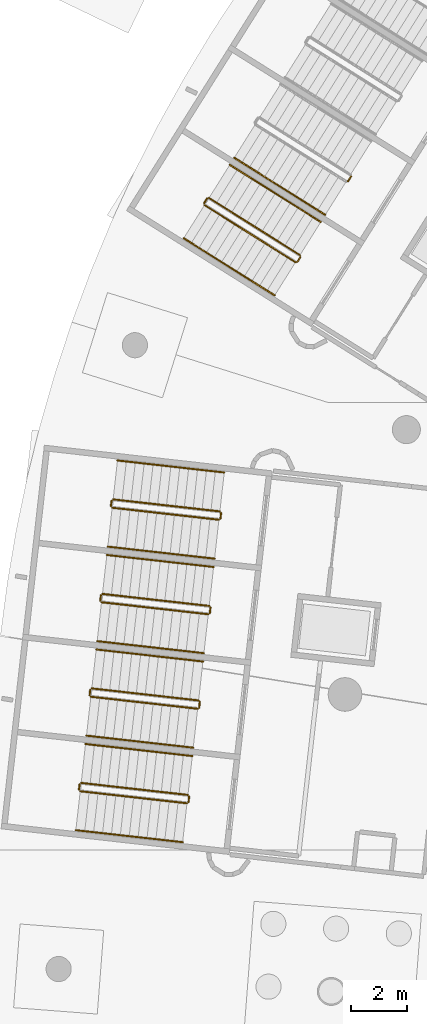
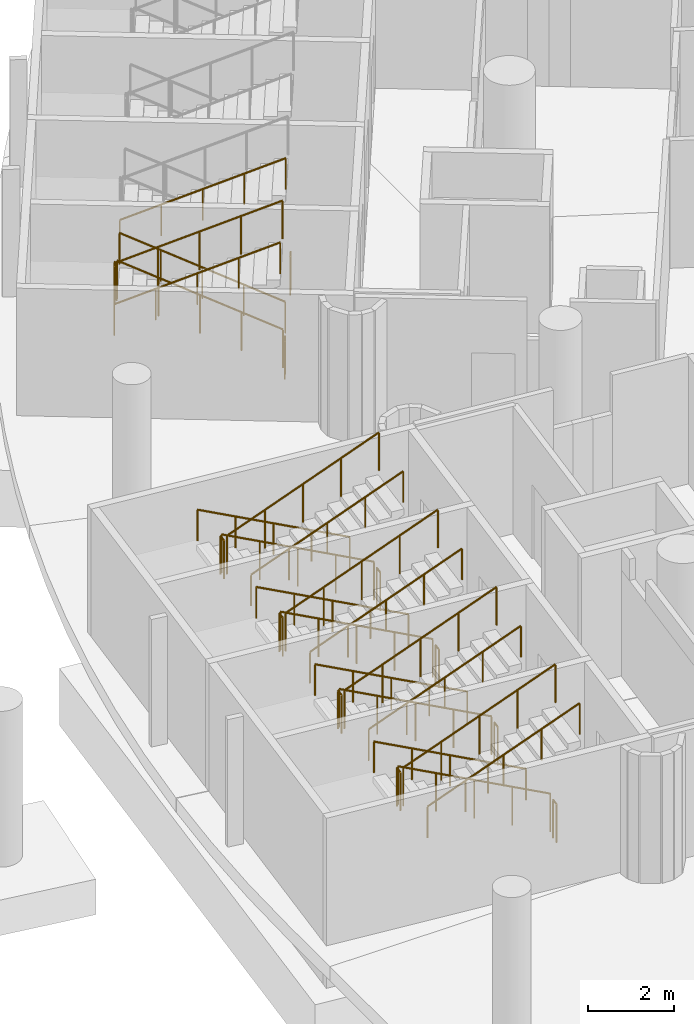
# One storey, part 128 of 142: 32 railings.
"""IFC4 building model written with IfcOpenShell, lengths in metres."""

import ifcopenshell
import ifcopenshell.guid

model = None  # the IFC model being written
_history = None  # IfcOwnerHistory: only IFC2X3 demands one
_inside = {}  # id of a spatial element -> (the spatial element, [elements in it])
_under = {}  # id of a project, library or spatial element -> (it, [spatial elements below it])
_declared = {}  # id of a project -> (the project, [libraries it declares])
_typed = {}  # id of a type object -> (the type object, [elements of that type])
_made_of = {}  # id of a material, layer set ... -> (it, [elements and type objects made of it])


def new_model(schema):
    """Start an empty IFC model of exactly this schema.

    Asked for "IFC4X3", IfcOpenShell would pick the latest addendum, in which some entities
    have other attributes; the version numbers below select the first issue.
    IFC2X3 requires an IfcOwnerHistory on every rooted entity: one is made here for all.
    """
    global model, _history
    if schema == "IFC4X3":
        model = ifcopenshell.file(schema_version=(4, 3, 0, 0))
    else:
        model = ifcopenshell.file(schema=schema)
    _inside.clear()
    _under.clear()
    _declared.clear()
    _typed.clear()
    _made_of.clear()
    _history = None
    if model.schema == "IFC2X3":
        org = make("IfcOrganization", Name="unknown")
        user = make(
            "IfcPersonAndOrganization",
            ThePerson=make("IfcPerson", FamilyName="unknown"),
            TheOrganization=org,
        )
        app = make(
            "IfcApplication",
            ApplicationDeveloper=org,
            Version="unknown",
            ApplicationFullName="unknown",
            ApplicationIdentifier="unknown",
        )
        _history = make(
            "IfcOwnerHistory",
            OwningUser=user,
            OwningApplication=app,
            ChangeAction="ADDED",
            CreationDate=0,
        )
    return model


def make(cls, **values):
    """One entity of the class cls with the attributes given. An attribute that is None is left unset."""
    return model.create_entity(
        cls, **{name: value for name, value in values.items() if value is not None}
    )


def rooted(cls, **values):
    """An entity with a GlobalId (a new one), such as an element, a storey or a relation."""
    return make(cls, GlobalId=ifcopenshell.guid.new(), OwnerHistory=_history, **values)


def si_unit(unit_type, name, prefix=None):
    """IfcSIUnit, for example si_unit("LENGTHUNIT", "METRE", prefix="MILLI")."""
    return make("IfcSIUnit", UnitType=unit_type, Prefix=prefix, Name=name)


def assignment(units):
    """IfcUnitAssignment: the units of a project."""
    return None if units is None else make("IfcUnitAssignment", Units=units)


def point(xyz):
    """IfcCartesianPoint."""
    return None if xyz is None else make("IfcCartesianPoint", Coordinates=xyz)


def direction(xyz):
    """IfcDirection."""
    return None if xyz is None else make("IfcDirection", DirectionRatios=xyz)


def frame(location, z_axis=None, x_axis=None):
    """IfcAxis2Placement3D, a coordinate frame: its origin and axes. An axis left out is left unset."""
    return make(
        "IfcAxis2Placement3D",
        Location=point(location),
        Axis=direction(z_axis),
        RefDirection=direction(x_axis),
    )


def frame_2d(location, x_axis=None):
    """IfcAxis2Placement2D, a coordinate frame in the plane: its origin and x axis."""
    return make(
        "IfcAxis2Placement2D", Location=point(location), RefDirection=direction(x_axis)
    )


def origin():
    """The frame at (0, 0, 0) with its axes left unset."""
    return frame((0.0, 0.0, 0.0))


def origin_2d():
    """The frame at (0, 0) in the plane with its x axis left unset."""
    return frame_2d((0.0, 0.0))


def place(relative_to, where):
    """IfcLocalPlacement: puts the frame where relative to a parent placement (None: the world)."""
    return make(
        "IfcLocalPlacement", PlacementRelTo=relative_to, RelativePlacement=where
    )


def context(
    kind, dimensions, precision=None, world=None, true_north=None, identifier=None
):
    """IfcGeometricRepresentationContext, for example the 3D "Model" context."""
    return make(
        "IfcGeometricRepresentationContext",
        ContextIdentifier=identifier,
        ContextType=kind,
        CoordinateSpaceDimension=dimensions,
        Precision=precision,
        WorldCoordinateSystem=world,
        TrueNorth=true_north,
    )


def subcontext(parent, identifier, kind, view, scale=None):
    """IfcGeometricRepresentationSubContext, for example "Body" below "Model"."""
    return make(
        "IfcGeometricRepresentationSubContext",
        ContextIdentifier=identifier,
        ContextType=kind,
        ParentContext=parent,
        TargetScale=scale,
        TargetView=view,
    )


def project(units=None, contexts=None):
    """IfcProject with its units and contexts."""
    return rooted(
        "IfcProject",
        Name="project",
        RepresentationContexts=contexts,
        UnitsInContext=assignment(units),
    )


def spatial(cls, under=None, at=None, **own):
    """A site, building, storey or space (cls), placed at a placement, below another one or the project."""
    s = rooted(cls, ObjectPlacement=at, **own)
    if under is not None:
        _under.setdefault(under.id(), (under, []))[1].append(s)
    return s


def profile(cls, at=None, kind="AREA", **sizes):
    """A parametric profile (cls). Its sizes go by their IFC names, for example OverallWidth=200.0."""
    return make(cls, ProfileType=kind, Position=at, **sizes)


def circle(**sizes):
    """IfcCircleProfileDef."""
    return profile("IfcCircleProfileDef", **sizes)


def extrude(swept, where, along, depth):
    """IfcExtrudedAreaSolid: the profile swept, set in the frame where, extruded along a direction by depth."""
    return make(
        "IfcExtrudedAreaSolid",
        SweptArea=swept,
        Position=where,
        ExtrudedDirection=direction(along),
        Depth=depth,
    )


def shape(context_of_items, identifier, shape_type, items):
    """IfcShapeRepresentation: the items that make up one representation, for example the "Body"."""
    return make(
        "IfcShapeRepresentation",
        ContextOfItems=context_of_items,
        RepresentationIdentifier=identifier,
        RepresentationType=shape_type,
        Items=items,
    )


def material(Name=None, Category=None):
    """IfcMaterial."""
    return make("IfcMaterial", Name=Name, Category=Category)


def made_of(thing, what):
    """Note that an element or type object is made of a material, layer set ...; save() writes the relation."""
    if what is not None:
        _made_of.setdefault(what.id(), (what, []))[1].append(thing)
    return thing


def type_object(cls, material=None, **own):
    """A type object (cls), such as IfcWallType, which elements share."""
    return made_of(rooted(cls, **own), material)


def element(
    cls,
    number,
    at=None,
    inside=None,
    cuts=None,
    type_object=None,
    material=None,
    context=None,
    identifier="Body",
    shape_type=None,
    held_by="IfcProductDefinitionShape",
    body=None,
    shapes=None,
    **own,
):
    """One element of the class cls, such as IfcWall. Its Tag is "e" and its number.

    at: its placement. inside: the storey or other place that contains it. cuts: it is an
    opening in that element (IfcRelVoidsElement). A single representation is given by context,
    identifier, shape_type and body (its items); several are given by shapes. held_by: the class
    of the entity that holds the representations. save() writes the other relations.
    """
    e = rooted(cls, Tag="e%d" % number, ObjectPlacement=at, **own)
    if body is not None:
        shapes = [shape(context, identifier, shape_type, body)]
    if shapes is not None:
        e.Representation = make(held_by, Representations=shapes)
    if inside is not None:
        _inside.setdefault(inside.id(), (inside, []))[1].append(e)
    if cuts is not None:
        rooted(
            "IfcRelVoidsElement", RelatingBuildingElement=cuts, RelatedOpeningElement=e
        )
    if type_object is not None:
        _typed.setdefault(type_object.id(), (type_object, []))[1].append(e)
    return made_of(e, material)


def aggregate(whole, parts):
    """IfcRelAggregates: a whole, such as a stair, and the parts it consists of."""
    return rooted("IfcRelAggregates", RelatingObject=whole, RelatedObjects=parts)


def save(model, path):
    """Write the relations noted so far, then the file.

    IfcRelAggregates (storeys below a building ...), IfcRelContainedInSpatialStructure (elements
    in a storey), IfcRelDefinesByType, IfcRelAssociatesMaterial and IfcRelDeclares: one each for
    every whole, place, type object, material and project.
    """
    for whole, parts in _under.values():
        aggregate(whole, parts)
    for where, things in _inside.values():
        rooted(
            "IfcRelContainedInSpatialStructure",
            RelatedElements=things,
            RelatingStructure=where,
        )
    for kind, things in _typed.values():
        rooted("IfcRelDefinesByType", RelatedObjects=things, RelatingType=kind)
    for what, things in _made_of.values():
        rooted("IfcRelAssociatesMaterial", RelatedObjects=things, RelatingMaterial=what)
    for by, libraries in _declared.values():
        rooted("IfcRelDeclares", RelatingContext=by, RelatedDefinitions=libraries)
    model.write(path)


model = new_model("IFC4")

# Units and contexts
model_context = context("Model", 3, precision=1e-05, world=origin(), true_north=direction((0.0, 1.0)))
body_context = subcontext(model_context, "Body", "Model", "MODEL_VIEW")
ifc_project = project(units=[si_unit("LENGTHUNIT", "METRE"), si_unit("AREAUNIT", "SQUARE_METRE"), si_unit("VOLUMEUNIT", "CUBIC_METRE"), si_unit("PLANEANGLEUNIT", "RADIAN"), si_unit("MASSUNIT", "GRAM", prefix="KILO")], contexts=[model_context])

# Site, building, storey
site_placement = place(None, origin())
site = spatial("IfcSite", under=ifc_project, at=site_placement, CompositionType="ELEMENT")
building_placement = place(site_placement, origin())
building = spatial("IfcBuilding", under=site, at=building_placement, Name="Meseta Stadium", CompositionType="ELEMENT")
storey_placement = place(building_placement, frame((0.0, 0.0, -4.0)))
storey = spatial("IfcBuildingStorey", under=building, at=storey_placement, Name="B1", CompositionType="ELEMENT", Elevation=-4.0)

# Railings
ifc_material_1 = material(Name="Steel S355", Category="steel")
railing_type_1 = type_object("IfcRailingType", Name="Stair guard 1100", PredefinedType="GUARDRAIL", material=ifc_material_1)
railing_1_placement = place(storey_placement, frame((-84.1494140625, 72.081298828125, 0.0)))
element("IfcRailing", 1, at=railing_1_placement, inside=storey, type_object=railing_type_1, Name="ST55 B1 guard 4", PredefinedType="GUARDRAIL", context=body_context, shape_type="SweptSolid", body=[
    extrude(circle(Radius=0.02392578125, at=origin_2d()), frame((0.0, 0.0, 1.076171875), z_axis=(-0.531971628011, -0.846762178531, 0.0), x_axis=(0.846762178531, -0.531971628011, 0.0)), (0.0, 0.0, 1.0), 0.2001953125),
    extrude(circle(Radius=0.02099609375, at=origin_2d()), origin(), (0.0, 0.0, 1.0), 1.052001953125),
    extrude(circle(Radius=0.02099609375, at=origin_2d()), frame((-0.1064453125, -0.16943359375, 0.0)), (0.0, 0.0, 1.0), 1.052001953125),
])
railing_2_placement = place(storey_placement, frame((-85.97412109375, 69.271240234375, 0.15380859375)))
element("IfcRailing", 2, at=railing_2_placement, inside=storey, type_object=railing_type_1, Name="ST56 B1 guard 1", PredefinedType="GUARDRAIL", context=body_context, shape_type="SweptSolid", body=[
    extrude(circle(Radius=0.02392578125, at=origin_2d()), frame((0.0, 0.0, 1.076171875), z_axis=(-0.763095617528, 0.479527498355, 0.433287960636), x_axis=(-0.53206607739, -0.846702834111, 0.0)), (0.0, 0.0, 1.0), 4.260986328125),
    extrude(circle(Radius=0.02099609375, at=origin_2d()), origin(), (0.0, 0.0, 1.0), 1.052001953125),
    extrude(circle(Radius=0.02099609375, at=origin_2d()), frame((-0.81298828125, 0.5107421875, 0.46142578125)), (0.0, 0.0, 1.0), 1.052001953125),
    extrude(circle(Radius=0.02099609375, at=origin_2d()), frame((-1.625732421875, 1.021484375, 0.923095703125)), (0.0, 0.0, 1.0), 1.052001953125),
    extrude(circle(Radius=0.02099609375, at=origin_2d()), frame((-2.4384765625, 1.532470703125, 1.384765625)), (0.0, 0.0, 1.0), 1.052001953125),
    extrude(circle(Radius=0.02099609375, at=origin_2d()), frame((-3.25146484375, 2.043212890625, 1.84619140625)), (0.0, 0.0, 1.0), 1.052001953125),
])
railing_3_placement = place(storey_placement, frame((-89.29443359375, 71.298583984375, 2.0)))
element("IfcRailing", 3, at=railing_3_placement, inside=storey, type_object=railing_type_1, Name="ST56 B1 guard 2", PredefinedType="GUARDRAIL", context=body_context, shape_type="SweptSolid", body=[
    extrude(circle(Radius=0.02392578125, at=origin_2d()), frame((0.0, 0.0, 1.076171875), z_axis=(-0.531971628011, -0.846762178531, 0.0), x_axis=(0.846762178531, -0.531971628011, 0.0)), (0.0, 0.0, 1.0), 0.2001953125),
    extrude(circle(Radius=0.02099609375, at=origin_2d()), origin(), (0.0, 0.0, 1.0), 1.052001953125),
    extrude(circle(Radius=0.02099609375, at=origin_2d()), frame((-0.1064453125, -0.16943359375, 0.0)), (0.0, 0.0, 1.0), 1.052001953125),
])
railing_4_placement = place(storey_placement, frame((-89.385009765625, 71.060302734375, 2.15380859375)))
element("IfcRailing", 4, at=railing_4_placement, inside=storey, type_object=railing_type_1, Name="ST56 B1 guard 3", PredefinedType="GUARDRAIL", context=body_context, shape_type="SweptSolid", body=[
    extrude(circle(Radius=0.02392578125, at=origin_2d()), frame((0.0, 0.0, 1.076171875), z_axis=(0.763092651012, -0.479504340592, 0.433318812567), x_axis=(0.532049138955, 0.846713477947, 0.0)), (0.0, 0.0, 1.0), 4.260498046875),
    extrude(circle(Radius=0.02099609375, at=origin_2d()), origin(), (0.0, 0.0, 1.0), 1.052001953125),
    extrude(circle(Radius=0.02099609375, at=origin_2d()), frame((0.812744140625, -0.5107421875, 0.46142578125)), (0.0, 0.0, 1.0), 1.052001953125),
    extrude(circle(Radius=0.02099609375, at=origin_2d()), frame((1.62548828125, -1.021484375, 0.923095703125)), (0.0, 0.0, 1.0), 1.052001953125),
    extrude(circle(Radius=0.02099609375, at=origin_2d()), frame((2.4384765625, -1.5322265625, 1.384765625)), (0.0, 0.0, 1.0), 1.052001953125),
    extrude(circle(Radius=0.02099609375, at=origin_2d()), frame((3.251220703125, -2.04296875, 1.84619140625)), (0.0, 0.0, 1.0), 1.052001953125),
])
railing_5_placement = place(storey_placement, frame((-85.958251953125, 69.202392578125, 0.0)))
element("IfcRailing", 5, at=railing_5_placement, inside=storey, type_object=railing_type_1, Name="ST56 B1 guard 4", PredefinedType="GUARDRAIL", context=body_context, shape_type="SweptSolid", body=[
    extrude(circle(Radius=0.02392578125, at=origin_2d()), frame((0.0, 0.0, 1.076171875), z_axis=(-0.531971628011, -0.846762178531, 0.0), x_axis=(0.846762178531, -0.531971628011, 0.0)), (0.0, 0.0, 1.0), 0.2001953125),
    extrude(circle(Radius=0.02099609375, at=origin_2d()), origin(), (0.0, 0.0, 1.0), 1.052001953125),
    extrude(circle(Radius=0.02099609375, at=origin_2d()), frame((-0.1064453125, -0.16943359375, 0.0)), (0.0, 0.0, 1.0), 1.052001953125),
])
railing_6_placement = place(storey_placement, frame((-88.83740234375, 60.10986328125, 0.15380859375)))
element("IfcRailing", 6, at=railing_6_placement, inside=storey, type_object=railing_type_1, Name="ST57 B1 guard 1", PredefinedType="GUARDRAIL", context=body_context, shape_type="SweptSolid", body=[
    extrude(circle(Radius=0.02392578125, at=origin_2d()), frame((0.0, 0.0, 1.076171875), z_axis=(-0.89558530144, 0.100903756611, 0.433295972456), x_axis=(-0.111959576062, -0.993712761983, 0.0)), (0.0, 0.0, 1.0), 4.2607421875),
    extrude(circle(Radius=0.02099609375, at=origin_2d()), origin(), (0.0, 0.0, 1.0), 1.052001953125),
    extrude(circle(Radius=0.02099609375, at=origin_2d()), frame((-0.9541015625, 0.107421875, 0.46142578125)), (0.0, 0.0, 1.0), 1.052001953125),
    extrude(circle(Radius=0.02099609375, at=origin_2d()), frame((-1.907958984375, 0.21484375, 0.923095703125)), (0.0, 0.0, 1.0), 1.052001953125),
    extrude(circle(Radius=0.02099609375, at=origin_2d()), frame((-2.86181640625, 0.322509765625, 1.384765625)), (0.0, 0.0, 1.0), 1.052001953125),
    extrude(circle(Radius=0.02099609375, at=origin_2d()), frame((-3.81591796875, 0.429931640625, 1.84619140625)), (0.0, 0.0, 1.0), 1.052001953125),
])
railing_7_placement = place(storey_placement, frame((-92.70849609375, 60.49560546875, 2.0)))
element("IfcRailing", 7, at=railing_7_placement, inside=storey, type_object=railing_type_1, Name="ST57 B1 guard 2", PredefinedType="GUARDRAIL", context=body_context, shape_type="SweptSolid", body=[
    extrude(circle(Radius=0.02392578125, at=origin_2d()), frame((0.0, 0.0, 1.076171875), z_axis=(-0.112307083986, -0.993673547442, 0.0), x_axis=(0.993673547442, -0.112307083986, 0.0)), (0.0, 0.0, 1.0), 0.199951171875),
    extrude(circle(Radius=0.02099609375, at=origin_2d()), origin(), (0.0, 0.0, 1.0), 1.052001953125),
    extrude(circle(Radius=0.02099609375, at=origin_2d()), frame((-0.0224609375, -0.19873046875, 0.0)), (0.0, 0.0, 1.0), 1.052001953125),
])
railing_8_placement = place(storey_placement, frame((-92.686767578125, 60.24169921875, 2.15380859375)))
element("IfcRailing", 8, at=railing_8_placement, inside=storey, type_object=railing_type_1, Name="ST57 B1 guard 3", PredefinedType="GUARDRAIL", context=body_context, shape_type="SweptSolid", body=[
    extrude(circle(Radius=0.02392578125, at=origin_2d()), frame((0.0, 0.0, 1.076171875), z_axis=(0.895573959525, -0.100908934847, 0.433318208582), x_axis=(0.111966649838, 0.99371196497, 0.0)), (0.0, 0.0, 1.0), 4.260498046875),
    extrude(circle(Radius=0.02099609375, at=origin_2d()), origin(), (0.0, 0.0, 1.0), 1.052001953125),
    extrude(circle(Radius=0.02099609375, at=origin_2d()), frame((0.953857421875, -0.107421875, 0.46142578125)), (0.0, 0.0, 1.0), 1.052001953125),
    extrude(circle(Radius=0.02099609375, at=origin_2d()), frame((1.90771484375, -0.21484375, 0.923095703125)), (0.0, 0.0, 1.0), 1.052001953125),
    extrude(circle(Radius=0.02099609375, at=origin_2d()), frame((2.86181640625, -0.322509765625, 1.384765625)), (0.0, 0.0, 1.0), 1.052001953125),
    extrude(circle(Radius=0.02099609375, at=origin_2d()), frame((3.815673828125, -0.429931640625, 1.84619140625)), (0.0, 0.0, 1.0), 1.052001953125),
])
railing_9_placement = place(storey_placement, frame((-88.793212890625, 60.054443359375, 0.0)))
element("IfcRailing", 9, at=railing_9_placement, inside=storey, type_object=railing_type_1, Name="ST57 B1 guard 4", PredefinedType="GUARDRAIL", context=body_context, shape_type="SweptSolid", body=[
    extrude(circle(Radius=0.02392578125, at=origin_2d()), frame((0.0, 0.0, 1.076171875), z_axis=(-0.112307083986, -0.993673547442, 0.0), x_axis=(0.993673547442, -0.112307083986, 0.0)), (0.0, 0.0, 1.0), 0.199951171875),
    extrude(circle(Radius=0.02099609375, at=origin_2d()), origin(), (0.0, 0.0, 1.0), 1.052001953125),
    extrude(circle(Radius=0.02099609375, at=origin_2d()), frame((-0.0224609375, -0.19873046875, 0.0)), (0.0, 0.0, 1.0), 1.052001953125),
])
railing_10_placement = place(storey_placement, frame((-89.218017578125, 56.731201171875, 0.15380859375)))
element("IfcRailing", 10, at=railing_10_placement, inside=storey, type_object=railing_type_1, Name="ST58 B1 guard 1", PredefinedType="GUARDRAIL", context=body_context, shape_type="SweptSolid", body=[
    extrude(circle(Radius=0.02392578125, at=origin_2d()), frame((0.0, 0.0, 1.076171875), z_axis=(-0.89558530144, 0.100903756611, 0.433295972456), x_axis=(-0.111959576062, -0.993712761983, 0.0)), (0.0, 0.0, 1.0), 4.2607421875),
    extrude(circle(Radius=0.02099609375, at=origin_2d()), origin(), (0.0, 0.0, 1.0), 1.052001953125),
    extrude(circle(Radius=0.02099609375, at=origin_2d()), frame((-0.9541015625, 0.107421875, 0.46142578125)), (0.0, 0.0, 1.0), 1.052001953125),
    extrude(circle(Radius=0.02099609375, at=origin_2d()), frame((-1.907958984375, 0.21484375, 0.923095703125)), (0.0, 0.0, 1.0), 1.052001953125),
    extrude(circle(Radius=0.02099609375, at=origin_2d()), frame((-2.86181640625, 0.322509765625, 1.384765625)), (0.0, 0.0, 1.0), 1.052001953125),
    extrude(circle(Radius=0.02099609375, at=origin_2d()), frame((-3.81591796875, 0.429931640625, 1.84619140625)), (0.0, 0.0, 1.0), 1.052001953125),
])
railing_11_placement = place(storey_placement, frame((-93.089111328125, 57.1171875, 2.0)))
element("IfcRailing", 11, at=railing_11_placement, inside=storey, type_object=railing_type_1, Name="ST58 B1 guard 2", PredefinedType="GUARDRAIL", context=body_context, shape_type="SweptSolid", body=[
    extrude(circle(Radius=0.02392578125, at=origin_2d()), frame((0.0, 0.0, 1.076171875), z_axis=(-0.112171018782, -0.993688916384, 0.0), x_axis=(0.993688916384, -0.112171018782, 0.0)), (0.0, 0.0, 1.0), 0.2001953125),
    extrude(circle(Radius=0.02099609375, at=origin_2d()), origin(), (0.0, 0.0, 1.0), 1.052001953125),
    extrude(circle(Radius=0.02099609375, at=origin_2d()), frame((-0.0224609375, -0.198974609375, 0.0)), (0.0, 0.0, 1.0), 1.052001953125),
])
railing_12_placement = place(storey_placement, frame((-93.067626953125, 56.863037109375, 2.15380859375)))
element("IfcRailing", 12, at=railing_12_placement, inside=storey, type_object=railing_type_1, Name="ST58 B1 guard 3", PredefinedType="GUARDRAIL", context=body_context, shape_type="SweptSolid", body=[
    extrude(circle(Radius=0.02392578125, at=origin_2d()), frame((0.0, 0.0, 1.076171875), z_axis=(0.89558530144, -0.100903756611, 0.433295972456), x_axis=(0.111959576062, 0.993712761983, 0.0)), (0.0, 0.0, 1.0), 4.2607421875),
    extrude(circle(Radius=0.02099609375, at=origin_2d()), origin(), (0.0, 0.0, 1.0), 1.052001953125),
    extrude(circle(Radius=0.02099609375, at=origin_2d()), frame((0.9541015625, -0.107421875, 0.46142578125)), (0.0, 0.0, 1.0), 1.052001953125),
    extrude(circle(Radius=0.02099609375, at=origin_2d()), frame((1.907958984375, -0.21484375, 0.923095703125)), (0.0, 0.0, 1.0), 1.052001953125),
    extrude(circle(Radius=0.02099609375, at=origin_2d()), frame((2.86181640625, -0.322509765625, 1.384765625)), (0.0, 0.0, 1.0), 1.052001953125),
    extrude(circle(Radius=0.02099609375, at=origin_2d()), frame((3.81591796875, -0.429931640625, 1.84619140625)), (0.0, 0.0, 1.0), 1.052001953125),
])
railing_13_placement = place(storey_placement, frame((-89.174072265625, 56.676025390625, 0.0)))
element("IfcRailing", 13, at=railing_13_placement, inside=storey, type_object=railing_type_1, Name="ST58 B1 guard 4", PredefinedType="GUARDRAIL", context=body_context, shape_type="SweptSolid", body=[
    extrude(circle(Radius=0.02392578125, at=origin_2d()), frame((0.0, 0.0, 1.076171875), z_axis=(-0.111101504696, -0.993809063983, 0.0), x_axis=(0.993809063983, -0.111101504696, 0.0)), (0.0, 0.0, 1.0), 0.199951171875),
    extrude(circle(Radius=0.02099609375, at=origin_2d()), origin(), (0.0, 0.0, 1.0), 1.052001953125),
    extrude(circle(Radius=0.02099609375, at=origin_2d()), frame((-0.022216796875, -0.19873046875, 0.0)), (0.0, 0.0, 1.0), 1.052001953125),
])
railing_14_placement = place(storey_placement, frame((-89.598876953125, 53.3525390625, 0.15380859375)))
element("IfcRailing", 14, at=railing_14_placement, inside=storey, type_object=railing_type_1, Name="ST59 B1 guard 1", PredefinedType="GUARDRAIL", context=body_context, shape_type="SweptSolid", body=[
    extrude(circle(Radius=0.02392578125, at=origin_2d()), frame((0.0, 0.0, 1.076171875), z_axis=(-0.895573959525, 0.100908934847, 0.433318208582), x_axis=(-0.111966649838, -0.99371196497, 0.0)), (0.0, 0.0, 1.0), 4.260498046875),
    extrude(circle(Radius=0.02099609375, at=origin_2d()), origin(), (0.0, 0.0, 1.0), 1.052001953125),
    extrude(circle(Radius=0.02099609375, at=origin_2d()), frame((-0.953857421875, 0.107421875, 0.46142578125)), (0.0, 0.0, 1.0), 1.052001953125),
    extrude(circle(Radius=0.02099609375, at=origin_2d()), frame((-1.90771484375, 0.21484375, 0.923095703125)), (0.0, 0.0, 1.0), 1.052001953125),
    extrude(circle(Radius=0.02099609375, at=origin_2d()), frame((-2.86181640625, 0.322509765625, 1.384765625)), (0.0, 0.0, 1.0), 1.052001953125),
    extrude(circle(Radius=0.02099609375, at=origin_2d()), frame((-3.815673828125, 0.429931640625, 1.84619140625)), (0.0, 0.0, 1.0), 1.052001953125),
])
railing_15_placement = place(storey_placement, frame((-93.469970703125, 53.738525390625, 2.0)))
element("IfcRailing", 15, at=railing_15_placement, inside=storey, type_object=railing_type_1, Name="ST59 B1 guard 2", PredefinedType="GUARDRAIL", context=body_context, shape_type="SweptSolid", body=[
    extrude(circle(Radius=0.02392578125, at=origin_2d()), frame((0.0, 0.0, 1.076171875), z_axis=(-0.111101504696, -0.993809063983, 0.0), x_axis=(0.993809063983, -0.111101504696, 0.0)), (0.0, 0.0, 1.0), 0.199951171875),
    extrude(circle(Radius=0.02099609375, at=origin_2d()), origin(), (0.0, 0.0, 1.0), 1.052001953125),
    extrude(circle(Radius=0.02099609375, at=origin_2d()), frame((-0.022216796875, -0.19873046875, 0.0)), (0.0, 0.0, 1.0), 1.052001953125),
])
railing_16_placement = place(storey_placement, frame((-93.4482421875, 53.484375, 2.15380859375)))
element("IfcRailing", 16, at=railing_16_placement, inside=storey, type_object=railing_type_1, Name="ST59 B1 guard 3", PredefinedType="GUARDRAIL", context=body_context, shape_type="SweptSolid", body=[
    extrude(circle(Radius=0.02392578125, at=origin_2d()), frame((0.0, 0.0, 1.076171875), z_axis=(0.89558530144, -0.100903756611, 0.433295972456), x_axis=(0.111959576062, 0.993712761983, 0.0)), (0.0, 0.0, 1.0), 4.2607421875),
    extrude(circle(Radius=0.02099609375, at=origin_2d()), origin(), (0.0, 0.0, 1.0), 1.052001953125),
    extrude(circle(Radius=0.02099609375, at=origin_2d()), frame((0.9541015625, -0.107421875, 0.46142578125)), (0.0, 0.0, 1.0), 1.052001953125),
    extrude(circle(Radius=0.02099609375, at=origin_2d()), frame((1.907958984375, -0.21484375, 0.923095703125)), (0.0, 0.0, 1.0), 1.052001953125),
    extrude(circle(Radius=0.02099609375, at=origin_2d()), frame((2.86181640625, -0.322509765625, 1.384765625)), (0.0, 0.0, 1.0), 1.052001953125),
    extrude(circle(Radius=0.02099609375, at=origin_2d()), frame((3.81591796875, -0.429931640625, 1.84619140625)), (0.0, 0.0, 1.0), 1.052001953125),
])
railing_17_placement = place(storey_placement, frame((-89.5546875, 53.29736328125, 0.0)))
element("IfcRailing", 17, at=railing_17_placement, inside=storey, type_object=railing_type_1, Name="ST59 B1 guard 4", PredefinedType="GUARDRAIL", context=body_context, shape_type="SweptSolid", body=[
    extrude(circle(Radius=0.02392578125, at=origin_2d()), frame((0.0, 0.0, 1.076171875), z_axis=(-0.112307083986, -0.993673547442, 0.0), x_axis=(0.993673547442, -0.112307083986, 0.0)), (0.0, 0.0, 1.0), 0.199951171875),
    extrude(circle(Radius=0.02099609375, at=origin_2d()), origin(), (0.0, 0.0, 1.0), 1.052001953125),
    extrude(circle(Radius=0.02099609375, at=origin_2d()), frame((-0.0224609375, -0.19873046875, 0.0)), (0.0, 0.0, 1.0), 1.052001953125),
])
railing_18_placement = place(storey_placement, frame((-89.9794921875, 49.973876953125, 0.15380859375)))
element("IfcRailing", 18, at=railing_18_placement, inside=storey, type_object=railing_type_1, Name="ST60 B1 guard 1", PredefinedType="GUARDRAIL", context=body_context, shape_type="SweptSolid", body=[
    extrude(circle(Radius=0.02392578125, at=origin_2d()), frame((0.0, 0.0, 1.076171875), z_axis=(-0.89558530144, 0.100903756611, 0.433295972456), x_axis=(-0.111959576062, -0.993712761983, 0.0)), (0.0, 0.0, 1.0), 4.2607421875),
    extrude(circle(Radius=0.02099609375, at=origin_2d()), origin(), (0.0, 0.0, 1.0), 1.052001953125),
    extrude(circle(Radius=0.02099609375, at=origin_2d()), frame((-0.9541015625, 0.107421875, 0.46142578125)), (0.0, 0.0, 1.0), 1.052001953125),
    extrude(circle(Radius=0.02099609375, at=origin_2d()), frame((-1.907958984375, 0.21484375, 0.923095703125)), (0.0, 0.0, 1.0), 1.052001953125),
    extrude(circle(Radius=0.02099609375, at=origin_2d()), frame((-2.86181640625, 0.322509765625, 1.384765625)), (0.0, 0.0, 1.0), 1.052001953125),
    extrude(circle(Radius=0.02099609375, at=origin_2d()), frame((-3.81591796875, 0.429931640625, 1.84619140625)), (0.0, 0.0, 1.0), 1.052001953125),
])
railing_19_placement = place(storey_placement, frame((-93.8505859375, 50.35986328125, 2.0)))
element("IfcRailing", 19, at=railing_19_placement, inside=storey, type_object=railing_type_1, Name="ST60 B1 guard 2", PredefinedType="GUARDRAIL", context=body_context, shape_type="SweptSolid", body=[
    extrude(circle(Radius=0.02392578125, at=origin_2d()), frame((0.0, 0.0, 1.076171875), z_axis=(-0.112307083986, -0.993673547442, 0.0), x_axis=(0.993673547442, -0.112307083986, 0.0)), (0.0, 0.0, 1.0), 0.199951171875),
    extrude(circle(Radius=0.02099609375, at=origin_2d()), origin(), (0.0, 0.0, 1.0), 1.052001953125),
    extrude(circle(Radius=0.02099609375, at=origin_2d()), frame((-0.0224609375, -0.19873046875, 0.0)), (0.0, 0.0, 1.0), 1.052001953125),
])
railing_20_placement = place(storey_placement, frame((-93.828857421875, 50.105712890625, 2.15380859375)))
element("IfcRailing", 20, at=railing_20_placement, inside=storey, type_object=railing_type_1, Name="ST60 B1 guard 3", PredefinedType="GUARDRAIL", context=body_context, shape_type="SweptSolid", body=[
    extrude(circle(Radius=0.02392578125, at=origin_2d()), frame((0.0, 0.0, 1.076171875), z_axis=(0.89558530144, -0.100903756611, 0.433295972456), x_axis=(0.111959576062, 0.993712761983, 0.0)), (0.0, 0.0, 1.0), 4.2607421875),
    extrude(circle(Radius=0.02099609375, at=origin_2d()), origin(), (0.0, 0.0, 1.0), 1.052001953125),
    extrude(circle(Radius=0.02099609375, at=origin_2d()), frame((0.9541015625, -0.107421875, 0.46142578125)), (0.0, 0.0, 1.0), 1.052001953125),
    extrude(circle(Radius=0.02099609375, at=origin_2d()), frame((1.907958984375, -0.21484375, 0.923095703125)), (0.0, 0.0, 1.0), 1.052001953125),
    extrude(circle(Radius=0.02099609375, at=origin_2d()), frame((2.86181640625, -0.322509765625, 1.384765625)), (0.0, 0.0, 1.0), 1.052001953125),
    extrude(circle(Radius=0.02099609375, at=origin_2d()), frame((3.81591796875, -0.429931640625, 1.84619140625)), (0.0, 0.0, 1.0), 1.052001953125),
])
railing_21_placement = place(storey_placement, frame((-89.935302734375, 49.918701171875, 0.0)))
element("IfcRailing", 21, at=railing_21_placement, inside=storey, type_object=railing_type_1, Name="ST60 B1 guard 4", PredefinedType="GUARDRAIL", context=body_context, shape_type="SweptSolid", body=[
    extrude(circle(Radius=0.02392578125, at=origin_2d()), frame((0.0, 0.0, 1.076171875), z_axis=(-0.112307083986, -0.993673547442, 0.0), x_axis=(0.993673547442, -0.112307083986, 0.0)), (0.0, 0.0, 1.0), 0.199951171875),
    extrude(circle(Radius=0.02099609375, at=origin_2d()), origin(), (0.0, 0.0, 1.0), 1.052001953125),
    extrude(circle(Radius=0.02099609375, at=origin_2d()), frame((-0.0224609375, -0.19873046875, 0.0)), (0.0, 0.0, 1.0), 1.052001953125),
])
ifc_material_2 = material(Name="Steel S355", Category="steel")
railing_type_2 = type_object("IfcRailingType", Name="Stair handrail 900", PredefinedType="HANDRAIL", material=ifc_material_2)
railing_22_placement = place(storey_placement, frame((-88.321044921875, 72.753662109375, 2.15380859375)))
element("IfcRailing", 22, at=railing_22_placement, inside=storey, type_object=railing_type_2, Name="ST55 B1 handrail 2", PredefinedType="HANDRAIL", context=body_context, shape_type="SweptSolid", body=[
    extrude(circle(Radius=0.02392578125, at=origin_2d()), frame((0.0, 0.0, 0.8759765625), z_axis=(0.763116583952, -0.479483373968, 0.433299865434), x_axis=(0.532020497206, 0.84673147488, 0.0)), (0.0, 0.0, 1.0), 4.2607421875),
    extrude(circle(Radius=0.02099609375, at=origin_2d()), origin(), (0.0, 0.0, 1.0), 0.851806640625),
    extrude(circle(Radius=0.02099609375, at=origin_2d()), frame((0.81298828125, -0.5107421875, 0.46142578125)), (0.0, 0.0, 1.0), 0.851806640625),
    extrude(circle(Radius=0.02099609375, at=origin_2d()), frame((1.625732421875, -1.021484375, 0.923095703125)), (0.0, 0.0, 1.0), 0.851806640625),
    extrude(circle(Radius=0.02099609375, at=origin_2d()), frame((2.4384765625, -1.5322265625, 1.384765625)), (0.0, 0.0, 1.0), 0.851806640625),
    extrude(circle(Radius=0.02099609375, at=origin_2d()), frame((3.25146484375, -2.04296875, 1.84619140625)), (0.0, 0.0, 1.0), 0.851806640625),
])
railing_23_placement = place(storey_placement, frame((-85.229248046875, 70.456787109375, 0.15380859375)))
element("IfcRailing", 23, at=railing_23_placement, inside=storey, type_object=railing_type_2, Name="ST56 B1 handrail 1", PredefinedType="HANDRAIL", context=body_context, shape_type="SweptSolid", body=[
    extrude(circle(Radius=0.02392578125, at=origin_2d()), frame((0.0, 0.0, 0.8759765625), z_axis=(-0.763116583952, 0.479483373968, 0.433299865434), x_axis=(-0.532020497206, -0.84673147488, 0.0)), (0.0, 0.0, 1.0), 4.2607421875),
    extrude(circle(Radius=0.02099609375, at=origin_2d()), origin(), (0.0, 0.0, 1.0), 0.851806640625),
    extrude(circle(Radius=0.02099609375, at=origin_2d()), frame((-0.81298828125, 0.5107421875, 0.46142578125)), (0.0, 0.0, 1.0), 0.851806640625),
    extrude(circle(Radius=0.02099609375, at=origin_2d()), frame((-1.625732421875, 1.021484375, 0.923095703125)), (0.0, 0.0, 1.0), 0.851806640625),
    extrude(circle(Radius=0.02099609375, at=origin_2d()), frame((-2.4384765625, 1.5322265625, 1.384765625)), (0.0, 0.0, 1.0), 0.851806640625),
    extrude(circle(Radius=0.02099609375, at=origin_2d()), frame((-3.25146484375, 2.04296875, 1.84619140625)), (0.0, 0.0, 1.0), 0.851806640625),
])
railing_24_placement = place(storey_placement, frame((-90.1298828125, 69.875, 2.15380859375)))
element("IfcRailing", 24, at=railing_24_placement, inside=storey, type_object=railing_type_2, Name="ST56 B1 handrail 2", PredefinedType="HANDRAIL", context=body_context, shape_type="SweptSolid", body=[
    extrude(circle(Radius=0.02392578125, at=origin_2d()), frame((0.0, 0.0, 0.8759765625), z_axis=(0.763071683412, -0.479548465756, 0.433306906207), x_axis=(0.532094719654, 0.846684834703, 0.0)), (0.0, 0.0, 1.0), 4.2607421875),
    extrude(circle(Radius=0.02099609375, at=origin_2d()), origin(), (0.0, 0.0, 1.0), 0.851806640625),
    extrude(circle(Radius=0.02099609375, at=origin_2d()), frame((0.812744140625, -0.5107421875, 0.46142578125)), (0.0, 0.0, 1.0), 0.851806640625),
    extrude(circle(Radius=0.02099609375, at=origin_2d()), frame((1.62548828125, -1.021484375, 0.923095703125)), (0.0, 0.0, 1.0), 0.851806640625),
    extrude(circle(Radius=0.02099609375, at=origin_2d()), frame((2.4384765625, -1.532470703125, 1.384765625)), (0.0, 0.0, 1.0), 0.851806640625),
    extrude(circle(Radius=0.02099609375, at=origin_2d()), frame((3.251220703125, -2.043212890625, 1.84619140625)), (0.0, 0.0, 1.0), 0.851806640625),
])
railing_25_placement = place(storey_placement, frame((-88.6806640625, 61.5009765625, 0.15380859375)))
element("IfcRailing", 25, at=railing_25_placement, inside=storey, type_object=railing_type_2, Name="ST57 B1 handrail 1", PredefinedType="HANDRAIL", context=body_context, shape_type="SweptSolid", body=[
    extrude(circle(Radius=0.02392578125, at=origin_2d()), frame((0.0, 0.0, 0.8759765625), z_axis=(-0.89558530144, 0.100903756611, 0.433295972456), x_axis=(-0.111959576062, -0.993712761983, 0.0)), (0.0, 0.0, 1.0), 4.2607421875),
    extrude(circle(Radius=0.02099609375, at=origin_2d()), origin(), (0.0, 0.0, 1.0), 0.851806640625),
    extrude(circle(Radius=0.02099609375, at=origin_2d()), frame((-0.9541015625, 0.107421875, 0.46142578125)), (0.0, 0.0, 1.0), 0.851806640625),
    extrude(circle(Radius=0.02099609375, at=origin_2d()), frame((-1.907958984375, 0.21484375, 0.923095703125)), (0.0, 0.0, 1.0), 0.851806640625),
    extrude(circle(Radius=0.02099609375, at=origin_2d()), frame((-2.86181640625, 0.322509765625, 1.384765625)), (0.0, 0.0, 1.0), 0.851806640625),
    extrude(circle(Radius=0.02099609375, at=origin_2d()), frame((-3.81591796875, 0.429931640625, 1.84619140625)), (0.0, 0.0, 1.0), 0.851806640625),
])
railing_26_placement = place(storey_placement, frame((-92.843505859375, 58.8505859375, 2.15380859375)))
element("IfcRailing", 26, at=railing_26_placement, inside=storey, type_object=railing_type_2, Name="ST57 B1 handrail 2", PredefinedType="HANDRAIL", context=body_context, shape_type="SweptSolid", body=[
    extrude(circle(Radius=0.02392578125, at=origin_2d()), frame((0.0, 0.0, 0.8759765625), z_axis=(0.895568779631, -0.100965652934, 0.433315702321), x_axis=(0.112029433367, 0.993704888817, 0.0)), (0.0, 0.0, 1.0), 4.260498046875),
    extrude(circle(Radius=0.02099609375, at=origin_2d()), origin(), (0.0, 0.0, 1.0), 0.851806640625),
    extrude(circle(Radius=0.02099609375, at=origin_2d()), frame((0.953857421875, -0.107421875, 0.46142578125)), (0.0, 0.0, 1.0), 0.851806640625),
    extrude(circle(Radius=0.02099609375, at=origin_2d()), frame((1.90771484375, -0.215087890625, 0.923095703125)), (0.0, 0.0, 1.0), 0.851806640625),
    extrude(circle(Radius=0.02099609375, at=origin_2d()), frame((2.86181640625, -0.32275390625, 1.384765625)), (0.0, 0.0, 1.0), 0.851806640625),
    extrude(circle(Radius=0.02099609375, at=origin_2d()), frame((3.815673828125, -0.43017578125, 1.84619140625)), (0.0, 0.0, 1.0), 0.851806640625),
])
railing_27_placement = place(storey_placement, frame((-89.061279296875, 58.122314453125, 0.15380859375)))
element("IfcRailing", 27, at=railing_27_placement, inside=storey, type_object=railing_type_2, Name="ST58 B1 handrail 1", PredefinedType="HANDRAIL", context=body_context, shape_type="SweptSolid", body=[
    extrude(circle(Radius=0.02392578125, at=origin_2d()), frame((0.0, 0.0, 0.8759765625), z_axis=(-0.89558530144, 0.100903756611, 0.433295972456), x_axis=(-0.111959576062, -0.993712761983, 0.0)), (0.0, 0.0, 1.0), 4.2607421875),
    extrude(circle(Radius=0.02099609375, at=origin_2d()), origin(), (0.0, 0.0, 1.0), 0.851806640625),
    extrude(circle(Radius=0.02099609375, at=origin_2d()), frame((-0.9541015625, 0.107421875, 0.46142578125)), (0.0, 0.0, 1.0), 0.851806640625),
    extrude(circle(Radius=0.02099609375, at=origin_2d()), frame((-1.907958984375, 0.21484375, 0.923095703125)), (0.0, 0.0, 1.0), 0.851806640625),
    extrude(circle(Radius=0.02099609375, at=origin_2d()), frame((-2.86181640625, 0.322509765625, 1.384765625)), (0.0, 0.0, 1.0), 0.851806640625),
    extrude(circle(Radius=0.02099609375, at=origin_2d()), frame((-3.81591796875, 0.429931640625, 1.84619140625)), (0.0, 0.0, 1.0), 0.851806640625),
])
railing_28_placement = place(storey_placement, frame((-93.224365234375, 55.471923828125, 2.15380859375)))
element("IfcRailing", 28, at=railing_28_placement, inside=storey, type_object=railing_type_2, Name="ST58 B1 handrail 2", PredefinedType="HANDRAIL", context=body_context, shape_type="SweptSolid", body=[
    extrude(circle(Radius=0.02392578125, at=origin_2d()), frame((0.0, 0.0, 0.8759765625), z_axis=(0.89558530144, -0.100903756611, 0.433295972456), x_axis=(0.111959576062, 0.993712761983, 0.0)), (0.0, 0.0, 1.0), 4.2607421875),
    extrude(circle(Radius=0.02099609375, at=origin_2d()), origin(), (0.0, 0.0, 1.0), 0.851806640625),
    extrude(circle(Radius=0.02099609375, at=origin_2d()), frame((0.9541015625, -0.107421875, 0.46142578125)), (0.0, 0.0, 1.0), 0.851806640625),
    extrude(circle(Radius=0.02099609375, at=origin_2d()), frame((1.907958984375, -0.21484375, 0.923095703125)), (0.0, 0.0, 1.0), 0.851806640625),
    extrude(circle(Radius=0.02099609375, at=origin_2d()), frame((2.86181640625, -0.322509765625, 1.384765625)), (0.0, 0.0, 1.0), 0.851806640625),
    extrude(circle(Radius=0.02099609375, at=origin_2d()), frame((3.81591796875, -0.429931640625, 1.84619140625)), (0.0, 0.0, 1.0), 0.851806640625),
])
railing_29_placement = place(storey_placement, frame((-89.442138671875, 54.743896484375, 0.15380859375)))
element("IfcRailing", 29, at=railing_29_placement, inside=storey, type_object=railing_type_2, Name="ST59 B1 handrail 1", PredefinedType="HANDRAIL", context=body_context, shape_type="SweptSolid", body=[
    extrude(circle(Radius=0.02392578125, at=origin_2d()), frame((0.0, 0.0, 0.8759765625), z_axis=(-0.895573959525, 0.100908934847, 0.433318208582), x_axis=(-0.111966649838, -0.99371196497, 0.0)), (0.0, 0.0, 1.0), 4.260498046875),
    extrude(circle(Radius=0.02099609375, at=origin_2d()), origin(), (0.0, 0.0, 1.0), 0.851806640625),
    extrude(circle(Radius=0.02099609375, at=origin_2d()), frame((-0.953857421875, 0.107421875, 0.46142578125)), (0.0, 0.0, 1.0), 0.851806640625),
    extrude(circle(Radius=0.02099609375, at=origin_2d()), frame((-1.90771484375, 0.21484375, 0.923095703125)), (0.0, 0.0, 1.0), 0.851806640625),
    extrude(circle(Radius=0.02099609375, at=origin_2d()), frame((-2.86181640625, 0.322509765625, 1.384765625)), (0.0, 0.0, 1.0), 0.851806640625),
    extrude(circle(Radius=0.02099609375, at=origin_2d()), frame((-3.815673828125, 0.429931640625, 1.84619140625)), (0.0, 0.0, 1.0), 0.851806640625),
])
railing_30_placement = place(storey_placement, frame((-93.60498046875, 52.09326171875, 2.15380859375)))
element("IfcRailing", 30, at=railing_30_placement, inside=storey, type_object=railing_type_2, Name="ST59 B1 handrail 2", PredefinedType="HANDRAIL", context=body_context, shape_type="SweptSolid", body=[
    extrude(circle(Radius=0.02392578125, at=origin_2d()), frame((0.0, 0.0, 0.8759765625), z_axis=(0.89558530144, -0.100903756611, 0.433295972456), x_axis=(0.111959576062, 0.993712761983, 0.0)), (0.0, 0.0, 1.0), 4.2607421875),
    extrude(circle(Radius=0.02099609375, at=origin_2d()), origin(), (0.0, 0.0, 1.0), 0.851806640625),
    extrude(circle(Radius=0.02099609375, at=origin_2d()), frame((0.9541015625, -0.107421875, 0.46142578125)), (0.0, 0.0, 1.0), 0.851806640625),
    extrude(circle(Radius=0.02099609375, at=origin_2d()), frame((1.907958984375, -0.21484375, 0.923095703125)), (0.0, 0.0, 1.0), 0.851806640625),
    extrude(circle(Radius=0.02099609375, at=origin_2d()), frame((2.86181640625, -0.322509765625, 1.384765625)), (0.0, 0.0, 1.0), 0.851806640625),
    extrude(circle(Radius=0.02099609375, at=origin_2d()), frame((3.81591796875, -0.429931640625, 1.84619140625)), (0.0, 0.0, 1.0), 0.851806640625),
])
railing_31_placement = place(storey_placement, frame((-89.82275390625, 51.365234375, 0.15380859375)))
element("IfcRailing", 31, at=railing_31_placement, inside=storey, type_object=railing_type_2, Name="ST60 B1 handrail 1", PredefinedType="HANDRAIL", context=body_context, shape_type="SweptSolid", body=[
    extrude(circle(Radius=0.02392578125, at=origin_2d()), frame((0.0, 0.0, 0.8759765625), z_axis=(-0.89558530144, 0.100903756611, 0.433295972456), x_axis=(-0.111959576062, -0.993712761983, 0.0)), (0.0, 0.0, 1.0), 4.2607421875),
    extrude(circle(Radius=0.02099609375, at=origin_2d()), origin(), (0.0, 0.0, 1.0), 0.851806640625),
    extrude(circle(Radius=0.02099609375, at=origin_2d()), frame((-0.9541015625, 0.107421875, 0.46142578125)), (0.0, 0.0, 1.0), 0.851806640625),
    extrude(circle(Radius=0.02099609375, at=origin_2d()), frame((-1.907958984375, 0.21484375, 0.923095703125)), (0.0, 0.0, 1.0), 0.851806640625),
    extrude(circle(Radius=0.02099609375, at=origin_2d()), frame((-2.86181640625, 0.322509765625, 1.384765625)), (0.0, 0.0, 1.0), 0.851806640625),
    extrude(circle(Radius=0.02099609375, at=origin_2d()), frame((-3.81591796875, 0.429931640625, 1.84619140625)), (0.0, 0.0, 1.0), 0.851806640625),
])
railing_32_placement = place(storey_placement, frame((-93.985595703125, 48.714599609375, 2.15380859375)))
element("IfcRailing", 32, at=railing_32_placement, inside=storey, type_object=railing_type_2, Name="ST60 B1 handrail 2", PredefinedType="HANDRAIL", context=body_context, shape_type="SweptSolid", body=[
    extrude(circle(Radius=0.02392578125, at=origin_2d()), frame((0.0, 0.0, 0.8759765625), z_axis=(0.89558530144, -0.100903756611, 0.433295972456), x_axis=(0.111959576062, 0.993712761983, 0.0)), (0.0, 0.0, 1.0), 4.2607421875),
    extrude(circle(Radius=0.02099609375, at=origin_2d()), origin(), (0.0, 0.0, 1.0), 0.851806640625),
    extrude(circle(Radius=0.02099609375, at=origin_2d()), frame((0.9541015625, -0.107421875, 0.46142578125)), (0.0, 0.0, 1.0), 0.851806640625),
    extrude(circle(Radius=0.02099609375, at=origin_2d()), frame((1.907958984375, -0.21484375, 0.923095703125)), (0.0, 0.0, 1.0), 0.851806640625),
    extrude(circle(Radius=0.02099609375, at=origin_2d()), frame((2.86181640625, -0.322509765625, 1.384765625)), (0.0, 0.0, 1.0), 0.851806640625),
    extrude(circle(Radius=0.02099609375, at=origin_2d()), frame((3.81591796875, -0.429931640625, 1.84619140625)), (0.0, 0.0, 1.0), 0.851806640625),
])

save(model, "model.ifc")
